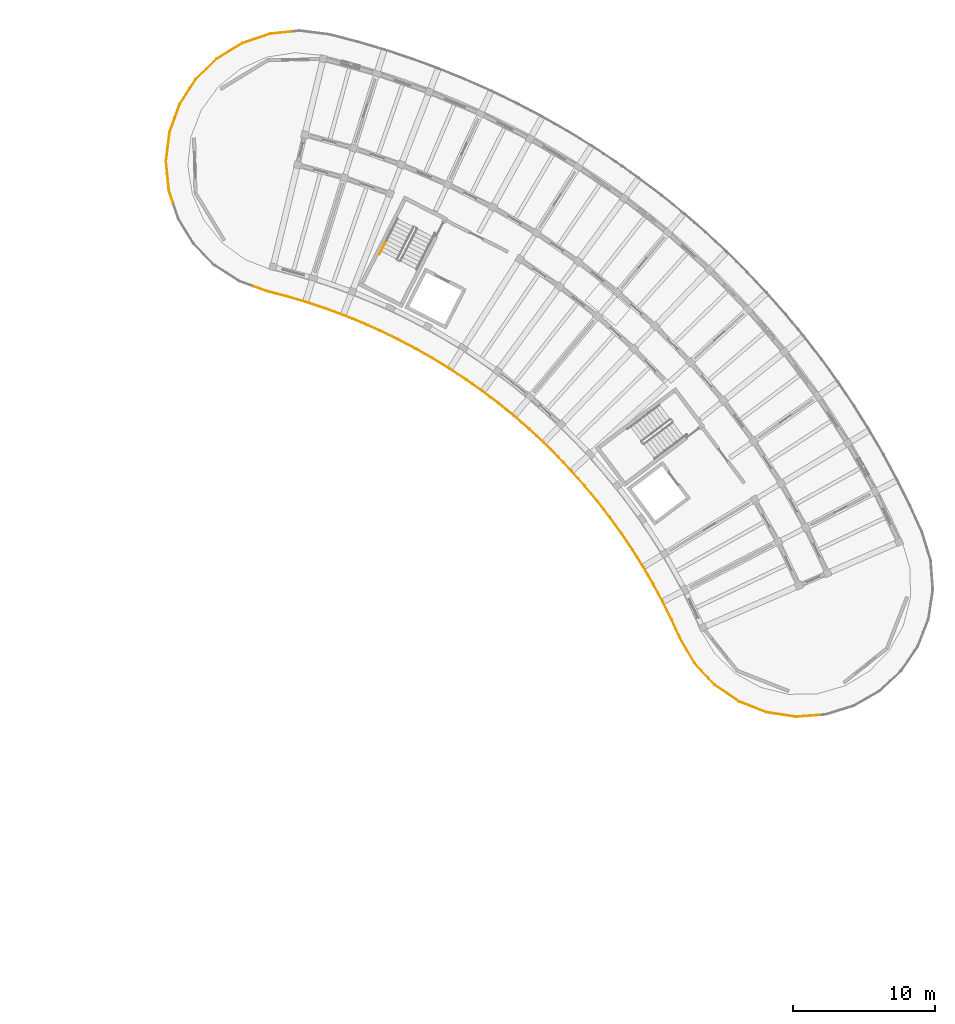
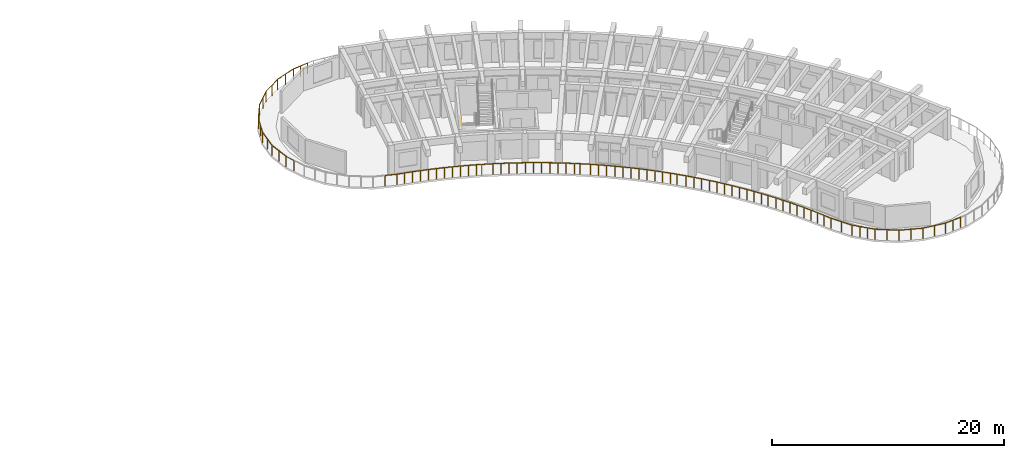
# One storey, part 37 of 41: 10 railings.
"""IFC4 building model written with IfcOpenShell, lengths in metres."""

from ifc_helpers import new_model, si_unit, direction, frame, origin, origin_2d, place, context, subcontext, project, spatial, circle, extrude, material, type_object, element, save


model = new_model("IFC4")

# Units and contexts
model_context = context("Model", 3, precision=1e-05, world=origin(), true_north=direction((0.0, 1.0)))
body_context = subcontext(model_context, "Body", "Model", "MODEL_VIEW")
ifc_project = project(units=[si_unit("LENGTHUNIT", "METRE"), si_unit("AREAUNIT", "SQUARE_METRE"), si_unit("VOLUMEUNIT", "CUBIC_METRE"), si_unit("PLANEANGLEUNIT", "RADIAN"), si_unit("MASSUNIT", "GRAM", prefix="KILO")], contexts=[model_context])

# Site, building, storey
site_placement = place(None, origin())
site = spatial("IfcSite", under=ifc_project, at=site_placement, CompositionType="ELEMENT")
building_placement = place(site_placement, origin())
building = spatial("IfcBuilding", under=site, at=building_placement, Name="Tanwirah Colonnade Gardens", CompositionType="ELEMENT")
storey_placement = place(building_placement, frame((0.0, 0.0, 35.719970703125)))
storey = spatial("IfcBuildingStorey", under=building, at=storey_placement, Name="L10", CompositionType="ELEMENT", Elevation=35.719970703125)

# Railings
ifc_material_1 = material(Name="Precast concrete C40/50", Category="concrete")
railing_type_1 = type_object("IfcRailingType", Name="BAL-EXT112", PredefinedType="BALUSTRADE", material=ifc_material_1)
railing_1_placement = place(storey_placement, frame((161.1669921875, 75.44921875, 0.0)))
element("IfcRailing", 1, at=railing_1_placement, inside=storey, type_object=railing_type_1, Name="Block B L10 Balcony Ribbon Balustrade 1", PredefinedType="BALUSTRADE", context=body_context, shape_type="SweptSolid", body=[
    extrude(circle(Radius=0.02392578125, at=origin_2d()), frame((-0.015625, 0.027099609375, 1.09619140625), z_axis=(-0.499729188924, 0.866181700186, 0.0), x_axis=(-0.866181700186, -0.499729188924, 0.0)), (0.0, 0.0, 1.0), 2.029541015625),
    extrude(circle(Radius=0.02392578125, at=origin_2d()), frame((-1.058349609375, 1.840576171875, 1.09619140625), z_axis=(-0.414708968171, 0.909954104183, 0.0), x_axis=(-0.909954104183, -0.414708968171, 0.0)), (0.0, 0.0, 1.0), 1.337890625),
    extrude(circle(Radius=0.02392578125, at=origin_2d()), frame((-1.641357421875, 3.116943359375, 1.09619140625), z_axis=(-0.444499692011, 0.895779003885, 0.0), x_axis=(-0.895779003885, -0.444499692011, 0.0)), (0.0, 0.0, 1.0), 1.341796875),
    extrude(circle(Radius=0.02392578125, at=origin_2d()), frame((-2.267822265625, 4.376708984375, 1.09619140625), z_axis=(-0.473716211853, 0.880677552018, 0.0), x_axis=(-0.880677552018, -0.473716211853, 0.0)), (0.0, 0.0, 1.0), 1.341796875),
    extrude(circle(Radius=0.02392578125, at=origin_2d()), frame((-2.93505859375, 5.615234375, 1.09619140625), z_axis=(-0.502378729104, 0.864647681165, 0.0), x_axis=(-0.864647681165, -0.502378729104, 0.0)), (0.0, 0.0, 1.0), 1.342041015625),
    extrude(circle(Radius=0.02392578125, at=origin_2d()), frame((-3.64306640625, 6.831298828125, 1.09619140625), z_axis=(-0.530754670552, 0.847525503857, 0.0), x_axis=(-0.847525503857, -0.530754670552, 0.0)), (0.0, 0.0, 1.0), 0.72119140625),
    extrude(circle(Radius=0.02099609375, at=origin_2d()), origin(), (0.0, 0.0, 1.0), 1.069091796875),
    extrude(circle(Radius=0.02099609375, at=origin_2d()), frame((-0.522705078125, 0.906005859375, 0.0)), (0.0, 0.0, 1.0), 1.069091796875),
    extrude(circle(Radius=0.02099609375, at=origin_2d()), frame((-1.04541015625, 1.81201171875, 0.0)), (0.0, 0.0, 1.0), 1.069091796875),
    extrude(circle(Radius=0.02099609375, at=origin_2d()), frame((-1.3359375, 2.44921875, 0.0)), (0.0, 0.0, 1.0), 1.069091796875),
    extrude(circle(Radius=0.02099609375, at=origin_2d()), frame((-1.626220703125, 3.08642578125, 0.0)), (0.0, 0.0, 1.0), 1.069091796875),
    extrude(circle(Radius=0.02099609375, at=origin_2d()), frame((-1.939453125, 3.7177734375, 0.0)), (0.0, 0.0, 1.0), 1.069091796875),
    extrude(circle(Radius=0.02099609375, at=origin_2d()), frame((-2.251708984375, 4.346923828125, 0.0)), (0.0, 0.0, 1.0), 1.069091796875),
    extrude(circle(Radius=0.02099609375, at=origin_2d()), frame((-2.58544921875, 4.967529296875, 0.0)), (0.0, 0.0, 1.0), 1.069091796875),
    extrude(circle(Radius=0.02099609375, at=origin_2d()), frame((-2.918212890625, 5.5859375, 0.0)), (0.0, 0.0, 1.0), 1.069091796875),
    extrude(circle(Radius=0.02099609375, at=origin_2d()), frame((-3.272216796875, 6.1953125, 0.0)), (0.0, 0.0, 1.0), 1.069091796875),
    extrude(circle(Radius=0.02099609375, at=origin_2d()), frame((-3.625, 6.802490234375, 0.0)), (0.0, 0.0, 1.0), 1.069091796875),
    extrude(circle(Radius=0.02099609375, at=origin_2d()), frame((-4.04248046875, 7.468994140625, 0.0)), (0.0, 0.0, 1.0), 1.069091796875),
])
railing_2_placement = place(storey_placement, frame((157.12451171875, 82.918212890625, 0.0)))
element("IfcRailing", 2, at=railing_2_placement, inside=storey, type_object=railing_type_1, Name="Block B L10 Balcony Ribbon Balustrade 2", PredefinedType="BALUSTRADE", context=body_context, shape_type="SweptSolid", body=[
    extrude(circle(Radius=0.02392578125, at=origin_2d()), frame((-0.0166015625, 0.026611328125, 1.09619140625), z_axis=(-0.530776794011, 0.847511648851, 0.0), x_axis=(-0.847511648851, -0.530776794011, 0.0)), (0.0, 0.0, 1.0), 0.557861328125),
    extrude(circle(Radius=0.02392578125, at=origin_2d()), frame((-0.348388671875, 0.553955078125, 1.09619140625), z_axis=(-0.558385571779, 0.829581553091, 0.0), x_axis=(-0.829581553091, -0.558385571779, 0.0)), (0.0, 0.0, 1.0), 1.341796875),
    extrude(circle(Radius=0.02392578125, at=origin_2d()), frame((-1.134765625, 1.720703125, 1.09619140625), z_axis=(-0.585522290474, 0.810656306556, 0.0), x_axis=(-0.810656306556, -0.585522290474, 0.0)), (0.0, 0.0, 1.0), 1.341796875),
    extrude(circle(Radius=0.02392578125, at=origin_2d()), frame((-1.959228515625, 2.860595703125, 1.09619140625), z_axis=(-0.611783903817, 0.791024939576, 0.0), x_axis=(-0.791024939576, -0.611783903817, 0.0)), (0.0, 0.0, 1.0), 1.341796875),
    extrude(circle(Radius=0.02392578125, at=origin_2d()), frame((-2.821044921875, 3.972900390625, 1.09619140625), z_axis=(-0.637581943595, 0.770382544715, 0.0), x_axis=(-0.770382544715, -0.637581943595, 0.0)), (0.0, 0.0, 1.0), 1.342041015625),
    extrude(circle(Radius=0.02392578125, at=origin_2d()), frame((-3.718994140625, 5.05615234375, 1.09619140625), z_axis=(-0.662581384852, 0.748989925464, 0.0), x_axis=(-0.748989925464, -0.662581384852, 0.0)), (0.0, 0.0, 1.0), 1.341796875),
    extrude(circle(Radius=0.02392578125, at=origin_2d()), frame((-4.65185546875, 6.109130859375, 1.09619140625), z_axis=(-0.686964054736, 0.726691397707, 0.0), x_axis=(-0.726691397707, -0.686964054736, 0.0)), (0.0, 0.0, 1.0), 0.779296875),
    extrude(circle(Radius=0.02099609375, at=origin_2d()), origin(), (0.0, 0.0, 1.0), 1.069091796875),
    extrude(circle(Radius=0.02099609375, at=origin_2d()), frame((-0.329345703125, 0.52587890625, 0.0)), (0.0, 0.0, 1.0), 1.069091796875),
    extrude(circle(Radius=0.02099609375, at=origin_2d()), frame((-0.722900390625, 1.110595703125, 0.0)), (0.0, 0.0, 1.0), 1.069091796875),
    extrude(circle(Radius=0.02099609375, at=origin_2d()), frame((-1.114990234375, 1.693115234375, 0.0)), (0.0, 0.0, 1.0), 1.069091796875),
    extrude(circle(Radius=0.02099609375, at=origin_2d()), frame((-1.527587890625, 2.2646484375, 0.0)), (0.0, 0.0, 1.0), 1.069091796875),
    extrude(circle(Radius=0.02099609375, at=origin_2d()), frame((-1.938720703125, 2.833740234375, 0.0)), (0.0, 0.0, 1.0), 1.069091796875),
    extrude(circle(Radius=0.02099609375, at=origin_2d()), frame((-2.36962890625, 3.391357421875, 0.0)), (0.0, 0.0, 1.0), 1.069091796875),
    extrude(circle(Radius=0.02099609375, at=origin_2d()), frame((-2.79931640625, 3.94677734375, 0.0)), (0.0, 0.0, 1.0), 1.069091796875),
    extrude(circle(Radius=0.02099609375, at=origin_2d()), frame((-3.248779296875, 4.48974609375, 0.0)), (0.0, 0.0, 1.0), 1.069091796875),
    extrude(circle(Radius=0.02099609375, at=origin_2d()), frame((-3.696533203125, 5.03076171875, 0.0)), (0.0, 0.0, 1.0), 1.069091796875),
    extrude(circle(Radius=0.02099609375, at=origin_2d()), frame((-4.16357421875, 5.55859375, 0.0)), (0.0, 0.0, 1.0), 1.069091796875),
    extrude(circle(Radius=0.02099609375, at=origin_2d()), frame((-4.628662109375, 6.08447265625, 0.0)), (0.0, 0.0, 1.0), 1.069091796875),
    extrude(circle(Radius=0.02099609375, at=origin_2d()), frame((-5.208740234375, 6.6982421875, 0.0)), (0.0, 0.0, 1.0), 1.069091796875),
])
railing_3_placement = place(storey_placement, frame((151.915771484375, 89.616455078125, 0.0)))
element("IfcRailing", 3, at=railing_3_placement, inside=storey, type_object=railing_type_1, Name="Block B L10 Balcony Ribbon Balustrade 3", PredefinedType="BALUSTRADE", context=body_context, shape_type="SweptSolid", body=[
    extrude(circle(Radius=0.02392578125, at=origin_2d()), frame((-0.021484375, 0.022705078125, 1.09619140625), z_axis=(-0.687082216209, 0.726579677785, 0.0), x_axis=(-0.726579677785, -0.687082216209, 0.0)), (0.0, 0.0, 1.0), 0.5),
    extrude(circle(Radius=0.02392578125, at=origin_2d()), frame((-0.410400390625, 0.4326171875, 1.09619140625), z_axis=(-0.710488556831, 0.703708754111, 0.0), x_axis=(-0.703708754111, -0.710488556831, 0.0)), (0.0, 0.0, 1.0), 1.341796875),
    extrude(circle(Radius=0.02392578125, at=origin_2d()), frame((-1.410888671875, 1.421875, 1.09619140625), z_axis=(-0.73336899588, 0.679830799451, 0.0), x_axis=(-0.679830799451, -0.73336899588, 0.0)), (0.0, 0.0, 1.0), 1.342041015625),
    extrude(circle(Radius=0.02392578125, at=origin_2d()), frame((-2.443603515625, 2.377685546875, 1.09619140625), z_axis=(-0.755402192857, 0.655261418845, 0.0), x_axis=(-0.655261418845, -0.755402192857, 0.0)), (0.0, 0.0, 1.0), 1.341796875),
    extrude(circle(Radius=0.02392578125, at=origin_2d()), frame((-3.5068359375, 3.298828125, 1.09619140625), z_axis=(-0.776491375378, 0.630127879056, 0.0), x_axis=(-0.630127879056, -0.776491375378, 0.0)), (0.0, 0.0, 1.0), 1.342041015625),
    extrude(circle(Radius=0.02392578125, at=origin_2d()), frame((-4.60009765625, 4.184326171875, 1.09619140625), z_axis=(-0.796818244666, 0.604219070344, 0.0), x_axis=(-0.604219070344, -0.796818244666, 0.0)), (0.0, 0.0, 1.0), 1.342041015625),
    extrude(circle(Radius=0.02392578125, at=origin_2d()), frame((-5.72216796875, 5.03369140625, 1.09619140625), z_axis=(-0.816328282039, 0.577588206202, 0.0), x_axis=(-0.577588206202, -0.816328282039, 0.0)), (0.0, 0.0, 1.0), 0.83740234375),
    extrude(circle(Radius=0.02099609375, at=origin_2d()), origin(), (0.0, 0.0, 1.0), 1.069091796875),
    extrude(circle(Radius=0.02099609375, at=origin_2d()), frame((-0.386474609375, 0.40869140625, 0.0)), (0.0, 0.0, 1.0), 1.069091796875),
    extrude(circle(Radius=0.02099609375, at=origin_2d()), frame((-0.88720703125, 0.90478515625, 0.0)), (0.0, 0.0, 1.0), 1.069091796875),
    extrude(circle(Radius=0.02099609375, at=origin_2d()), frame((-1.385986328125, 1.39892578125, 0.0)), (0.0, 0.0, 1.0), 1.069091796875),
    extrude(circle(Radius=0.02099609375, at=origin_2d()), frame((-1.90283203125, 1.8779296875, 0.0)), (0.0, 0.0, 1.0), 1.069091796875),
    extrude(circle(Radius=0.02099609375, at=origin_2d()), frame((-2.41796875, 2.35546875, 0.0)), (0.0, 0.0, 1.0), 1.069091796875),
    extrude(circle(Radius=0.02099609375, at=origin_2d()), frame((-2.9501953125, 2.8173828125, 0.0)), (0.0, 0.0, 1.0), 1.069091796875),
    extrude(circle(Radius=0.02099609375, at=origin_2d()), frame((-3.480712890625, 3.27734375, 0.0)), (0.0, 0.0, 1.0), 1.069091796875),
    extrude(circle(Radius=0.02099609375, at=origin_2d()), frame((-4.02783203125, 3.7216796875, 0.0)), (0.0, 0.0, 1.0), 1.069091796875),
    extrude(circle(Radius=0.02099609375, at=origin_2d()), frame((-4.5732421875, 4.1640625, 0.0)), (0.0, 0.0, 1.0), 1.069091796875),
    extrude(circle(Radius=0.02099609375, at=origin_2d()), frame((-5.134765625, 4.58984375, 0.0)), (0.0, 0.0, 1.0), 1.069091796875),
    extrude(circle(Radius=0.02099609375, at=origin_2d()), frame((-5.6943359375, 5.01416015625, 0.0)), (0.0, 0.0, 1.0), 1.069091796875),
    extrude(circle(Radius=0.02099609375, at=origin_2d()), frame((-6.43115234375, 5.535400390625, 0.0)), (0.0, 0.0, 1.0), 1.069091796875),
])
railing_4_placement = place(storey_placement, frame((145.484619140625, 95.15185546875, 0.0)))
element("IfcRailing", 4, at=railing_4_placement, inside=storey, type_object=railing_type_1, Name="Block B L10 Balcony Ribbon Balustrade 4", PredefinedType="BALUSTRADE", context=body_context, shape_type="SweptSolid", body=[
    extrude(circle(Radius=0.02392578125, at=origin_2d()), frame((-0.025634765625, 0.01806640625, 1.09619140625), z_axis=(-0.816309845708, 0.577614262117, 0.0), x_axis=(-0.577614262117, -0.816309845708, 0.0)), (0.0, 0.0, 1.0), 0.441650390625),
    extrude(circle(Radius=0.02392578125, at=origin_2d()), frame((-0.43994140625, 0.309814453125, 1.09619140625), z_axis=(-0.834927342507, 0.550360184547, 0.0), x_axis=(-0.550360184547, -0.834927342507, 0.0)), (0.0, 0.0, 1.0), 1.341796875),
    extrude(circle(Radius=0.02392578125, at=origin_2d()), frame((-1.615234375, 1.083251953125, 1.09619140625), z_axis=(-0.852623736113, 0.522525372223, 0.0), x_axis=(-0.522525372223, -0.852623736113, 0.0)), (0.0, 0.0, 1.0), 1.342041015625),
    extrude(circle(Radius=0.02392578125, at=origin_2d()), frame((-2.8154296875, 1.8173828125, 1.09619140625), z_axis=(-0.869342839865, 0.494209496848, 0.0), x_axis=(-0.494209496848, -0.869342839865, 0.0)), (0.0, 0.0, 1.0), 1.342041015625),
    extrude(circle(Radius=0.02392578125, at=origin_2d()), frame((-4.039306640625, 2.511962890625, 1.09619140625), z_axis=(-0.885204649416, 0.465201814972, 0.0), x_axis=(-0.465201814972, -0.885204649416, 0.0)), (0.0, 0.0, 1.0), 1.341796875),
    extrude(circle(Radius=0.02392578125, at=origin_2d()), frame((-5.28515625, 3.16552734375, 1.09619140625), z_axis=(-0.900124070825, 0.43563362717, 0.0), x_axis=(-0.43563362717, -0.900124070825, 0.0)), (0.0, 0.0, 1.0), 1.341796875),
    extrude(circle(Radius=0.02392578125, at=origin_2d()), frame((-6.552001953125, 3.777587890625, 1.09619140625), z_axis=(-0.914021583023, 0.405665559011, 0.0), x_axis=(-0.405665559011, -0.914021583023, 0.0)), (0.0, 0.0, 1.0), 0.8955078125),
    extrude(circle(Radius=0.02099609375, at=origin_2d()), origin(), (0.0, 0.0, 1.0), 1.069091796875),
    extrude(circle(Radius=0.02099609375, at=origin_2d()), frame((-0.41162109375, 0.291259765625, 0.0)), (0.0, 0.0, 1.0), 1.069091796875),
    extrude(circle(Radius=0.02099609375, at=origin_2d()), frame((-1.0, 0.67919921875, 0.0)), (0.0, 0.0, 1.0), 1.069091796875),
    extrude(circle(Radius=0.02099609375, at=origin_2d()), frame((-1.58642578125, 1.065673828125, 0.0)), (0.0, 0.0, 1.0), 1.069091796875),
    extrude(circle(Radius=0.02099609375, at=origin_2d()), frame((-2.1875, 1.433837890625, 0.0)), (0.0, 0.0, 1.0), 1.069091796875),
    extrude(circle(Radius=0.02099609375, at=origin_2d()), frame((-2.7861328125, 1.80078125, 0.0)), (0.0, 0.0, 1.0), 1.069091796875),
    extrude(circle(Radius=0.02099609375, at=origin_2d()), frame((-3.39892578125, 2.14892578125, 0.0)), (0.0, 0.0, 1.0), 1.069091796875),
    extrude(circle(Radius=0.02099609375, at=origin_2d()), frame((-4.00927734375, 2.49609375, 0.0)), (0.0, 0.0, 1.0), 1.069091796875),
    extrude(circle(Radius=0.02099609375, at=origin_2d()), frame((-4.63330078125, 2.823974609375, 0.0)), (0.0, 0.0, 1.0), 1.069091796875),
    extrude(circle(Radius=0.02099609375, at=origin_2d()), frame((-5.2548828125, 3.150634765625, 0.0)), (0.0, 0.0, 1.0), 1.069091796875),
    extrude(circle(Radius=0.02099609375, at=origin_2d()), frame((-5.88916015625, 3.457763671875, 0.0)), (0.0, 0.0, 1.0), 1.069091796875),
    extrude(circle(Radius=0.02099609375, at=origin_2d()), frame((-6.521240234375, 3.763671875, 0.0)), (0.0, 0.0, 1.0), 1.069091796875),
    extrude(circle(Radius=0.02099609375, at=origin_2d()), frame((-7.399169921875, 4.153564453125, 0.0)), (0.0, 0.0, 1.0), 1.069091796875),
])
railing_5_placement = place(storey_placement, frame((138.08544921875, 99.305419921875, 0.0)))
element("IfcRailing", 5, at=railing_5_placement, inside=storey, type_object=railing_type_1, Name="Block B L10 Balcony Ribbon Balustrade 5", PredefinedType="BALUSTRADE", context=body_context, shape_type="SweptSolid", body=[
    extrude(circle(Radius=0.02392578125, at=origin_2d()), frame((-0.028564453125, 0.0126953125, 1.09619140625), z_axis=(-0.913946824746, 0.405833958086, 0.0), x_axis=(-0.405833958086, -0.913946824746, 0.0)), (0.0, 0.0, 1.0), 0.3837890625),
    extrude(circle(Radius=0.02392578125, at=origin_2d()), frame((-0.439208984375, 0.19384765625, 1.09619140625), z_axis=(-0.92683738147, 0.375463005247, 0.0), x_axis=(-0.375463005247, -0.92683738147, 0.0)), (0.0, 0.0, 1.0), 1.342041015625),
    extrude(circle(Radius=0.02392578125, at=origin_2d()), frame((-1.74365234375, 0.72119140625, 1.09619140625), z_axis=(-0.93868698515, 0.344770567059, 0.0), x_axis=(-0.344770567059, -0.93868698515, 0.0)), (0.0, 0.0, 1.0), 1.341796875),
    extrude(circle(Radius=0.02392578125, at=origin_2d()), frame((-3.06494140625, 1.205322265625, 1.09619140625), z_axis=(-0.949531842797, 0.313670654533, 0.0), x_axis=(-0.313670654533, -0.949531842797, 0.0)), (0.0, 0.0, 1.0), 1.341552734375),
    extrude(circle(Radius=0.02392578125, at=origin_2d()), frame((-4.401123046875, 1.6455078125, 1.09619140625), z_axis=(-0.959362733044, 0.282175736812, 0.0), x_axis=(-0.282175736812, -0.959362733044, 0.0)), (0.0, 0.0, 1.0), 1.341796875),
    extrude(circle(Radius=0.02392578125, at=origin_2d()), frame((-5.751220703125, 2.04150390625, 1.09619140625), z_axis=(-0.968152012133, 0.250363099122, 0.0), x_axis=(-0.250363099122, -0.968152012133, 0.0)), (0.0, 0.0, 1.0), 1.337890625),
    extrude(circle(Radius=0.02392578125, at=origin_2d()), frame((-7.10595703125, 2.39501953125, 1.09619140625), z_axis=(-0.939765542881, 0.341819725021, 0.0), x_axis=(-0.341819725021, -0.939765542881, 0.0)), (0.0, 0.0, 1.0), 0.960205078125),
    extrude(circle(Radius=0.02099609375, at=origin_2d()), origin(), (0.0, 0.0, 1.0), 1.069091796875),
    extrude(circle(Radius=0.02099609375, at=origin_2d()), frame((-0.407958984375, 0.18115234375, 0.0)), (0.0, 0.0, 1.0), 1.069091796875),
    extrude(circle(Radius=0.02099609375, at=origin_2d()), frame((-1.06103515625, 0.44580078125, 0.0)), (0.0, 0.0, 1.0), 1.069091796875),
    extrude(circle(Radius=0.02099609375, at=origin_2d()), frame((-1.7119140625, 0.70947265625, 0.0)), (0.0, 0.0, 1.0), 1.069091796875),
    extrude(circle(Radius=0.02099609375, at=origin_2d()), frame((-2.37353515625, 0.95263671875, 0.0)), (0.0, 0.0, 1.0), 1.069091796875),
    extrude(circle(Radius=0.02099609375, at=origin_2d()), frame((-3.032470703125, 1.194580078125, 0.0)), (0.0, 0.0, 1.0), 1.069091796875),
    extrude(circle(Radius=0.02099609375, at=origin_2d()), frame((-3.70166015625, 1.415771484375, 0.0)), (0.0, 0.0, 1.0), 1.069091796875),
    extrude(circle(Radius=0.02099609375, at=origin_2d()), frame((-4.368408203125, 1.635986328125, 0.0)), (0.0, 0.0, 1.0), 1.069091796875),
    extrude(circle(Radius=0.02099609375, at=origin_2d()), frame((-5.044677734375, 1.8349609375, 0.0)), (0.0, 0.0, 1.0), 1.069091796875),
    extrude(circle(Radius=0.02099609375, at=origin_2d()), frame((-5.71826171875, 2.032958984375, 0.0)), (0.0, 0.0, 1.0), 1.069091796875),
    extrude(circle(Radius=0.02099609375, at=origin_2d()), frame((-6.39892578125, 2.208984375, 0.0)), (0.0, 0.0, 1.0), 1.069091796875),
    extrude(circle(Radius=0.02099609375, at=origin_2d()), frame((-7.07666015625, 2.38427734375, 0.0)), (0.0, 0.0, 1.0), 1.069091796875),
    extrude(circle(Radius=0.02099609375, at=origin_2d()), frame((-8.037841796875, 2.73388671875, 0.0)), (0.0, 0.0, 1.0), 1.069091796875),
])
railing_6_placement = place(storey_placement, frame((124.3701171875, 107.91943359375, 0.0)))
element("IfcRailing", 6, at=railing_6_placement, inside=storey, type_object=railing_type_1, Name="Block B L10 Balcony Ribbon Balustrade 7", PredefinedType="BALUSTRADE", context=body_context, shape_type="SweptSolid", body=[
    extrude(circle(Radius=0.02392578125, at=origin_2d()), frame((-0.010009765625, 0.029541015625, 1.09619140625), z_axis=(-0.318942003431, 0.947774233901, 0.0), x_axis=(-0.947774233901, -0.318942003431, 0.0)), (0.0, 0.0, 1.0), 0.8544921875),
    extrude(circle(Radius=0.02392578125, at=origin_2d()), frame((-0.295654296875, 0.900146484375, 1.09619140625), z_axis=(-0.099793296413, 0.995008189912, 0.0), x_axis=(-0.995008189912, -0.099793296413, 0.0)), (0.0, 0.0, 1.0), 2.0244140625),
    extrude(circle(Radius=0.02392578125, at=origin_2d()), frame((-0.496826171875, 2.9765625, 1.09619140625), z_axis=(0.124121123069, 0.992267074334, 0.0), x_axis=(-0.992267074334, 0.124121123069, 0.0)), (0.0, 0.0, 1.0), 2.0244140625),
    extrude(circle(Radius=0.02392578125, at=origin_2d()), frame((-0.23095703125, 5.045654296875, 1.09619140625), z_axis=(0.34173366955, 0.939796839267, 0.0), x_axis=(-0.939796839267, 0.34173366955, 0.0)), (0.0, 0.0, 1.0), 2.024169921875),
    extrude(circle(Radius=0.02392578125, at=origin_2d()), frame((0.48828125, 7.00390625, 1.09619140625), z_axis=(0.542240406539, 0.840223387865, 0.0), x_axis=(-0.840223387865, 0.542240406539, 0.0)), (0.0, 0.0, 1.0), 1.259765625),
    extrude(circle(Radius=0.02099609375, at=origin_2d()), origin(), (0.0, 0.0, 1.0), 1.069091796875),
    extrude(circle(Radius=0.02099609375, at=origin_2d()), frame((-0.29248046875, 0.869140625, 0.0)), (0.0, 0.0, 1.0), 1.069091796875),
    extrude(circle(Radius=0.02099609375, at=origin_2d()), frame((-0.396484375, 1.9072265625, 0.0)), (0.0, 0.0, 1.0), 1.069091796875),
    extrude(circle(Radius=0.02099609375, at=origin_2d()), frame((-0.500732421875, 2.945556640625, 0.0)), (0.0, 0.0, 1.0), 1.069091796875),
    extrude(circle(Radius=0.02099609375, at=origin_2d()), frame((-0.37109375, 3.98095703125, 0.0)), (0.0, 0.0, 1.0), 1.069091796875),
    extrude(circle(Radius=0.02099609375, at=origin_2d()), frame((-0.24169921875, 5.016357421875, 0.0)), (0.0, 0.0, 1.0), 1.069091796875),
    extrude(circle(Radius=0.02099609375, at=origin_2d()), frame((0.11474609375, 5.9970703125, 0.0)), (0.0, 0.0, 1.0), 1.069091796875),
    extrude(circle(Radius=0.02099609375, at=origin_2d()), frame((0.471435546875, 6.9775390625, 0.0)), (0.0, 0.0, 1.0), 1.069091796875),
    extrude(circle(Radius=0.02099609375, at=origin_2d()), frame((1.1884765625, 8.088623046875, 0.0)), (0.0, 0.0, 1.0), 1.069091796875),
])
railing_7_placement = place(storey_placement, frame((125.55859375, 116.008056640625, 0.0)))
element("IfcRailing", 7, at=railing_7_placement, inside=storey, type_object=railing_type_1, Name="Block B L10 Balcony Ribbon Balustrade 8", PredefinedType="BALUSTRADE", context=body_context, shape_type="SweptSolid", body=[
    extrude(circle(Radius=0.02392578125, at=origin_2d()), frame((0.016845703125, 0.0263671875, 1.09619140625), z_axis=(0.542483184024, 0.840066661076, 0.0), x_axis=(-0.840066661076, 0.542483184024, 0.0)), (0.0, 0.0, 1.0), 0.7021484375),
    extrude(circle(Radius=0.02392578125, at=origin_2d()), frame((0.437255859375, 0.6640625, 1.09619140625), z_axis=(0.715653567144, 0.698455418645, 0.0), x_axis=(-0.698455418645, 0.715653567144, 0.0)), (0.0, 0.0, 1.0), 2.024169921875),
    extrude(circle(Radius=0.02392578125, at=origin_2d()), frame((1.934814453125, 2.1162109375, 1.09619140625), z_axis=(0.853116971032, 0.521719688853, 0.0), x_axis=(-0.521719688853, 0.853116971032, 0.0)), (0.0, 0.0, 1.0), 2.024658203125),
    extrude(circle(Radius=0.02392578125, at=origin_2d()), frame((3.71826171875, 3.19873046875, 1.09619140625), z_axis=(0.947861179751, 0.318683516865, 0.0), x_axis=(-0.318683516865, 0.947861179751, 0.0)), (0.0, 0.0, 1.0), 2.0244140625),
    extrude(circle(Radius=0.02392578125, at=origin_2d()), frame((5.69775390625, 3.85693359375, 1.09619140625), z_axis=(0.995004352415, 0.099831551499, 0.0), x_axis=(-0.099831551499, 0.995004352415, 0.0)), (0.0, 0.0, 1.0), 1.412109375),
    extrude(circle(Radius=0.02099609375, at=origin_2d()), origin(), (0.0, 0.0, 1.0), 1.069091796875),
    extrude(circle(Radius=0.02099609375, at=origin_2d()), frame((0.414794921875, 0.642333984375, 0.0)), (0.0, 0.0, 1.0), 1.069091796875),
    extrude(circle(Radius=0.02099609375, at=origin_2d()), frame((1.16162109375, 1.37109375, 0.0)), (0.0, 0.0, 1.0), 1.069091796875),
    extrude(circle(Radius=0.02099609375, at=origin_2d()), frame((1.908203125, 2.099853515625, 0.0)), (0.0, 0.0, 1.0), 1.069091796875),
    extrude(circle(Radius=0.02099609375, at=origin_2d()), frame((2.79833984375, 2.644287109375, 0.0)), (0.0, 0.0, 1.0), 1.069091796875),
    extrude(circle(Radius=0.02099609375, at=origin_2d()), frame((3.688720703125, 3.188720703125, 0.0)), (0.0, 0.0, 1.0), 1.069091796875),
    extrude(circle(Radius=0.02099609375, at=origin_2d()), frame((4.677734375, 3.521240234375, 0.0)), (0.0, 0.0, 1.0), 1.069091796875),
    extrude(circle(Radius=0.02099609375, at=origin_2d()), frame((5.666748046875, 3.853759765625, 0.0)), (0.0, 0.0, 1.0), 1.069091796875),
    extrude(circle(Radius=0.02099609375, at=origin_2d()), frame((6.400390625, 3.92724609375, 0.0)), (0.0, 0.0, 1.0), 1.069091796875),
    extrude(circle(Radius=0.02099609375, at=origin_2d()), frame((7.134033203125, 4.0009765625, 0.0)), (0.0, 0.0, 1.0), 1.069091796875),
])
railing_8_placement = place(storey_placement, frame((169.893798828125, 71.7861328125, 0.0)))
element("IfcRailing", 8, at=railing_8_placement, inside=storey, type_object=railing_type_1, Name="Block B L10 Balcony Ribbon Balustrade 18", PredefinedType="BALUSTRADE", context=body_context, shape_type="SweptSolid", body=[
    extrude(circle(Radius=0.02392578125, at=origin_2d()), frame((-0.03125, -0.00244140625, 1.09619140625), z_axis=(-0.997219125232, -0.074525272704, 0.0), x_axis=(0.074525272704, -0.997219125232, 0.0)), (0.0, 0.0, 1.0), 1.519775390625),
    extrude(circle(Radius=0.02392578125, at=origin_2d()), frame((-1.60888671875, -0.11328125, 1.09619140625), z_axis=(-0.988777902537, 0.149392969894, 0.0), x_axis=(-0.149392969894, -0.988777902537, 0.0)), (0.0, 0.0, 1.0), 2.0244140625),
    extrude(circle(Radius=0.02392578125, at=origin_2d()), frame((-3.67041015625, 0.205322265625, 1.09619140625), z_axis=(-0.930774243329, 0.365594458321, 0.0), x_axis=(-0.365594458321, -0.930774243329, 0.0)), (0.0, 0.0, 1.0), 2.0244140625),
    extrude(circle(Radius=0.02392578125, at=origin_2d()), frame((-5.609619140625, 0.974365234375, 1.09619140625), z_axis=(-0.826118431278, 0.563496528386, 0.0), x_axis=(-0.563496528386, -0.826118431278, 0.0)), (0.0, 0.0, 1.0), 2.0244140625),
    extrude(circle(Radius=0.02392578125, at=origin_2d()), frame((-7.3291015625, 2.15576171875, 1.09619140625), z_axis=(-0.679837812179, 0.73336249504, 0.0), x_axis=(-0.73336249504, -0.679837812179, 0.0)), (0.0, 0.0, 1.0), 0.59423828125),
    extrude(circle(Radius=0.02099609375, at=origin_2d()), origin(), (0.0, 0.0, 1.0), 1.069091796875),
    extrude(circle(Radius=0.02099609375, at=origin_2d()), frame((-0.7890625, -0.05908203125, 0.0)), (0.0, 0.0, 1.0), 1.069091796875),
    extrude(circle(Radius=0.02099609375, at=origin_2d()), frame((-1.577880859375, -0.117919921875, 0.0)), (0.0, 0.0, 1.0), 1.069091796875),
    extrude(circle(Radius=0.02099609375, at=origin_2d()), frame((-2.609619140625, 0.0380859375, 0.0)), (0.0, 0.0, 1.0), 1.069091796875),
    extrude(circle(Radius=0.02099609375, at=origin_2d()), frame((-3.641357421875, 0.19384765625, 0.0)), (0.0, 0.0, 1.0), 1.069091796875),
    extrude(circle(Radius=0.02099609375, at=origin_2d()), frame((-4.612548828125, 0.5751953125, 0.0)), (0.0, 0.0, 1.0), 1.069091796875),
    extrude(circle(Radius=0.02099609375, at=origin_2d()), frame((-5.583740234375, 0.956787109375, 0.0)), (0.0, 0.0, 1.0), 1.069091796875),
    extrude(circle(Radius=0.02099609375, at=origin_2d()), frame((-6.44580078125, 1.544921875, 0.0)), (0.0, 0.0, 1.0), 1.069091796875),
    extrude(circle(Radius=0.02099609375, at=origin_2d()), frame((-7.307861328125, 2.1328125, 0.0)), (0.0, 0.0, 1.0), 1.069091796875),
    extrude(circle(Radius=0.02099609375, at=origin_2d()), frame((-7.75439453125, 2.614501953125, 0.0)), (0.0, 0.0, 1.0), 1.069091796875),
])
railing_9_placement = place(storey_placement, frame((162.139404296875, 74.400634765625, 0.0)))
element("IfcRailing", 9, at=railing_9_placement, inside=storey, type_object=railing_type_1, Name="Block B L10 Balcony Ribbon Balustrade 19", PredefinedType="BALUSTRADE", context=body_context, shape_type="SweptSolid", body=[
    extrude(circle(Radius=0.02392578125, at=origin_2d()), frame((-0.021240234375, 0.02294921875, 1.09619140625), z_axis=(-0.679972941983, 0.733237204574, 0.0), x_axis=(-0.733237204574, -0.679972941983, 0.0)), (0.0, 0.0, 1.0), 1.367431640625),
    extrude(circle(Radius=0.02099609375, at=origin_2d()), origin(), (0.0, 0.0, 1.0), 1.069091796875),
    extrude(circle(Radius=0.02099609375, at=origin_2d()), frame((-0.486328125, 0.5244140625, 0.0)), (0.0, 0.0, 1.0), 1.069091796875),
    extrude(circle(Radius=0.02099609375, at=origin_2d()), frame((-0.972412109375, 1.048583984375, 0.0)), (0.0, 0.0, 1.0), 1.069091796875),
])
ifc_material_2 = material(Name="Brushed bronze stainless steel", Category="steel")
railing_type_2 = type_object("IfcRailingType", Name="HR-ST090", PredefinedType="HANDRAIL", material=ifc_material_2)
railing_10_placement = place(storey_placement, frame((139.341796875, 105.118896484375, 1.300048828125)))
element("IfcRailing", 10, at=railing_10_placement, inside=storey, type_object=railing_type_2, Name="L10 ST-B2 stair handrail 3", PredefinedType="HANDRAIL", context=body_context, shape_type="SweptSolid", body=[
    extrude(circle(Radius=0.02392578125, at=origin_2d()), frame((-0.01220703125, -0.02392578125, 0.891845703125), z_axis=(-0.38993033558, -0.765508761867, 0.511811165275), x_axis=(0.891061070925, -0.453883429839, 0.0)), (0.0, 0.0, 1.0), 1.043212890625),
    extrude(circle(Radius=0.02099609375, at=origin_2d()), origin(), (0.0, 0.0, 1.0), 0.848876953125),
    extrude(circle(Radius=0.02099609375, at=origin_2d()), frame((-0.43115234375, -0.846435546875, 0.56591796875)), (0.0, 0.0, 1.0), 0.848876953125),
])

save(model, "model.ifc")
